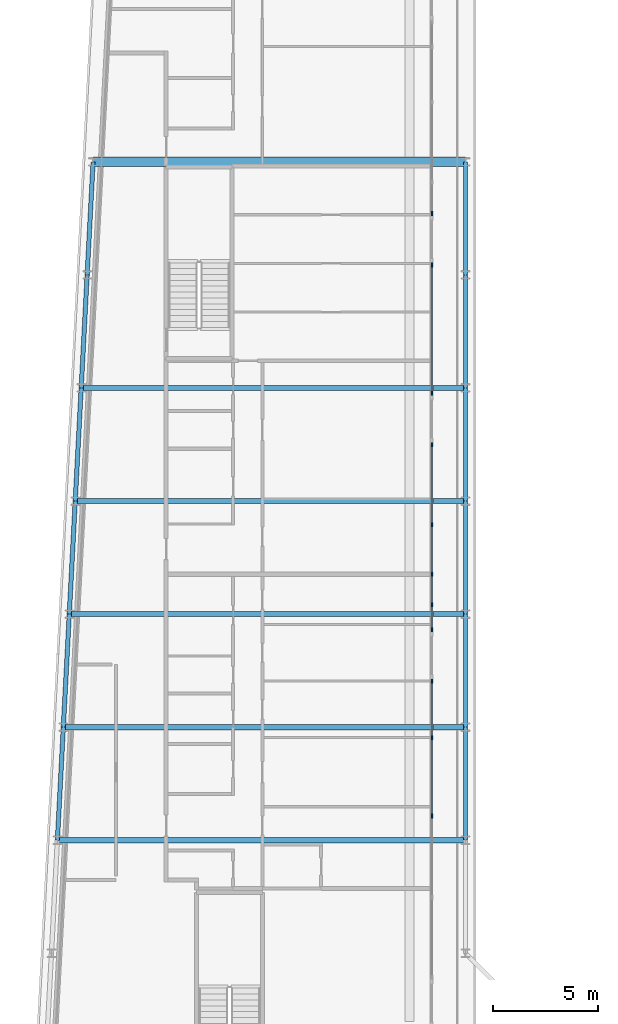
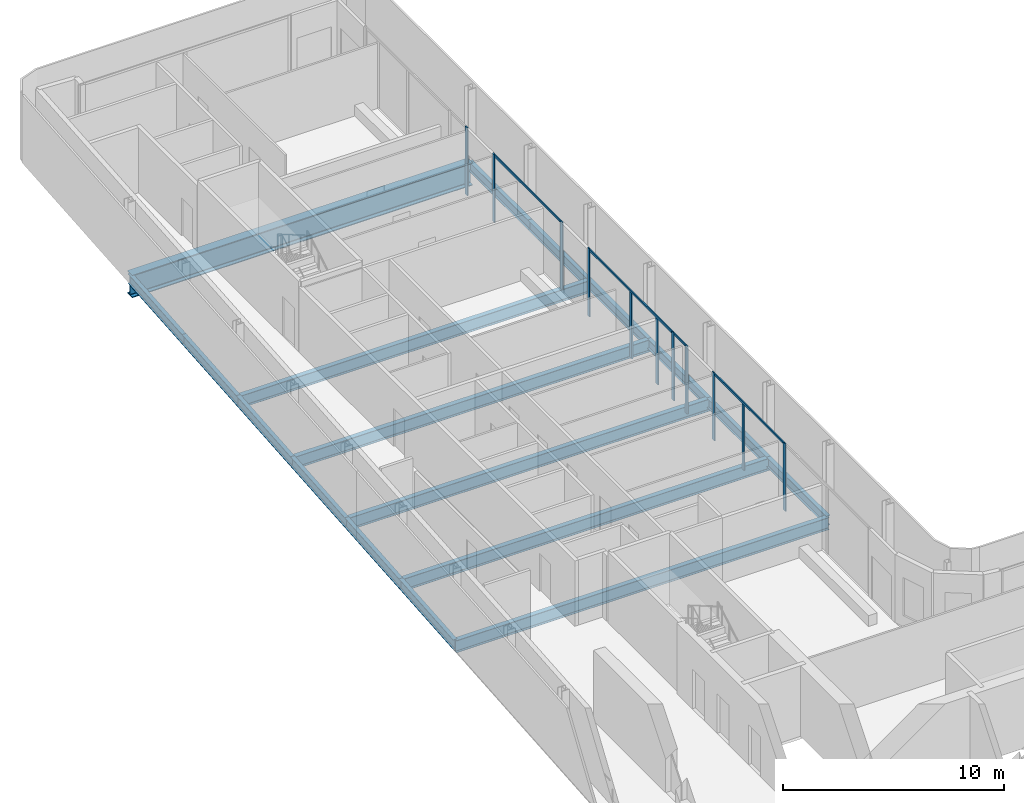
# One storey, part 7 of 21: 18 beams, 15 members, 5 elements without a shape of their own.
"""IFC4 building model written with IfcOpenShell, lengths in metres."""

from ifc_helpers import new_model, si_unit, direction, frame, origin, origin_2d, place, context, subcontext, project, spatial, rectangle, i_section, extrude, material, layer, layer_set, material_profile, profile_set, type_object, element, aggregate, save


model = new_model("IFC4")

# Units and contexts
model_context = context("Model", 3, precision=1e-05, world=origin(), true_north=direction((0.0, 1.0)))
body_context = subcontext(model_context, "Body", "Model", "MODEL_VIEW")
ifc_project = project(units=[si_unit("LENGTHUNIT", "METRE"), si_unit("AREAUNIT", "SQUARE_METRE"), si_unit("VOLUMEUNIT", "CUBIC_METRE"), si_unit("PLANEANGLEUNIT", "RADIAN"), si_unit("MASSUNIT", "GRAM", prefix="KILO")], contexts=[model_context])

# Site, building, storey
site_placement = place(None, origin())
site = spatial("IfcSite", under=ifc_project, at=site_placement, CompositionType="ELEMENT")
building_placement = place(site_placement, origin())
building = spatial("IfcBuilding", under=site, at=building_placement, Name="Kheshtan School and Residences Tower", CompositionType="ELEMENT")
storey_placement = place(building_placement, frame((0.0, 0.0, 305.89990234375)))
storey = spatial("IfcBuildingStorey", under=building, at=storey_placement, Name="L72", CompositionType="ELEMENT", Elevation=305.89990234375)

# Beams
ifc_material_1 = material(Name="Steel ASTM A992 Grade 50", Category="steel")
ifc_material_profile_1 = material_profile(ifc_material_1, i_section(OverallWidth=0.2529296875, OverallDepth=0.677978515625, WebThickness=0.01171875, FlangeThickness=0.016357421875, FilletRadius=0.0146484375, at=origin_2d()), Name="W690x125")
ifc_profile_set_1 = profile_set([ifc_material_profile_1], Name="Steel ASTM A992 Grade 50")
beam_type_1 = type_object("IfcBeamType", Name="Beam FB6 W690x125 ASTM A992 Grade 50", PredefinedType="BEAM", material=ifc_profile_set_1)
beam_1_placement = place(storey_placement, frame((47.60009765625, 78.0, -0.489013671875), z_axis=(-1.0, 0.0, 0.0), x_axis=(0.0, -1.0, 0.0)))
element("IfcBeam", 1, at=beam_1_placement, inside=storey, type_object=beam_type_1, Name="Floor beam C089", PredefinedType="BEAM", context=body_context, shape_type="SweptSolid", body=[
    extrude(i_section(OverallWidth=0.2529296875, OverallDepth=0.677978515625, WebThickness=0.01171875, FlangeThickness=0.016357421875, FilletRadius=0.0146484375, at=origin_2d()), origin(), (0.0, 0.0, 1.0), 18.357177734375),
])
beam_2_placement = place(storey_placement, frame((47.60009765625, 67.199951171875, -0.489013671875), z_axis=(-1.0, 0.0, 0.0), x_axis=(0.0, -1.0, 0.0)))
element("IfcBeam", 2, at=beam_2_placement, inside=storey, type_object=beam_type_1, Name="Floor beam C085", PredefinedType="BEAM", context=body_context, shape_type="SweptSolid", body=[
    extrude(i_section(OverallWidth=0.2529296875, OverallDepth=0.677978515625, WebThickness=0.01171875, FlangeThickness=0.016357421875, FilletRadius=0.0146484375, at=origin_2d()), origin(), (0.0, 0.0, 1.0), 18.926025390625),
])
beam_3_placement = place(storey_placement, frame((47.60009765625, 56.39990234375, -0.489013671875), z_axis=(-1.0, 0.0, 0.0), x_axis=(0.0, -1.0, 0.0)))
element("IfcBeam", 3, at=beam_3_placement, inside=storey, type_object=beam_type_1, Name="Floor beam C081", PredefinedType="BEAM", context=body_context, shape_type="SweptSolid", body=[
    extrude(i_section(OverallWidth=0.2529296875, OverallDepth=0.677978515625, WebThickness=0.01171875, FlangeThickness=0.016357421875, FilletRadius=0.0146484375, at=origin_2d()), origin(), (0.0, 0.0, 1.0), 19.494140625),
])
beam_4_placement = place(storey_placement, frame((28.389892578125, 61.800048828125, -0.489013671875), z_axis=(1.0, 0.0, 0.0), x_axis=(0.0, 1.0, 0.0)))
element("IfcBeam", 4, at=beam_4_placement, inside=storey, type_object=beam_type_1, Name="Floor beam C082", PredefinedType="BEAM", context=body_context, shape_type="SweptSolid", body=[
    extrude(i_section(OverallWidth=0.2529296875, OverallDepth=0.677978515625, WebThickness=0.01171875, FlangeThickness=0.016357421875, FilletRadius=0.0146484375, at=origin_2d()), origin(), (0.0, 0.0, 1.0), 19.210205078125),
])
beam_5_placement = place(storey_placement, frame((28.9580078125, 72.60009765625, -0.489013671875), z_axis=(1.0, 0.0, 0.0), x_axis=(0.0, 1.0, 0.0)))
element("IfcBeam", 5, at=beam_5_placement, inside=storey, type_object=beam_type_1, Name="Floor beam C086", PredefinedType="BEAM", context=body_context, shape_type="SweptSolid", body=[
    extrude(i_section(OverallWidth=0.2529296875, OverallDepth=0.677978515625, WebThickness=0.01171875, FlangeThickness=0.016357421875, FilletRadius=0.0146484375, at=origin_2d()), origin(), (0.0, 0.0, 1.0), 18.64208984375),
])
ifc_material_profile_2 = material_profile(ifc_material_1, i_section(OverallWidth=0.208984375, OverallDepth=0.532958984375, WebThickness=0.01025390625, FlangeThickness=0.015625, FilletRadius=0.013916015625, at=origin_2d()), Name="W530x92")
ifc_profile_set_2 = profile_set([ifc_material_profile_2], Name="Steel ASTM A992 Grade 50")
beam_type_2 = type_object("IfcBeamType", Name="Beam SP3 W530x92 ASTM A992 Grade 50", PredefinedType="BEAM", material=ifc_profile_set_2)
beam_6_placement = place(storey_placement, frame((47.60009765625, 88.800048828125, -0.41650390625), z_axis=(0.0, -1.0, 0.0), x_axis=(1.0, 0.0, 0.0)))
element("IfcBeam", 6, at=beam_6_placement, inside=storey, type_object=beam_type_2, Name="Spandrel beam C099-C091", PredefinedType="BEAM", context=body_context, shape_type="SweptSolid", body=[
    extrude(i_section(OverallWidth=0.208984375, OverallDepth=0.532958984375, WebThickness=0.01025390625, FlangeThickness=0.015625, FilletRadius=0.013916015625, at=origin_2d()), origin(), (0.0, 0.0, 1.0), 5.400146484375),
])
for number, where, z_axis, x_axis, name in (
    (7, (47.60009765625, 83.39990234375, -0.41650390625), (0.0, -1.0, 0.0), (1.0, 0.0, 0.0), "Spandrel beam C091-C089"),
    (8, (47.60009765625, 78.0, -0.41650390625), (0.0, -1.0, 0.0), (1.0, 0.0, 0.0), "Spandrel beam C089-C087"),
):
    element("IfcBeam", number, at=place(storey_placement, frame(where, z_axis=z_axis, x_axis=x_axis)), inside=storey, type_object=beam_type_2, Name=name, PredefinedType="BEAM", context=body_context, shape_type="SweptSolid", body=[
        extrude(i_section(OverallWidth=0.208984375, OverallDepth=0.532958984375, WebThickness=0.01025390625, FlangeThickness=0.015625, FilletRadius=0.013916015625, at=origin_2d()), origin(), (0.0, 0.0, 1.0), 5.39990234375),
    ])
beam_7_placement = place(storey_placement, frame((47.60009765625, 72.60009765625, -0.41650390625), z_axis=(0.0, -1.0, 0.0), x_axis=(1.0, 0.0, 0.0)))
element("IfcBeam", 9, at=beam_7_placement, inside=storey, type_object=beam_type_2, Name="Spandrel beam C087-C085", PredefinedType="BEAM", context=body_context, shape_type="SweptSolid", body=[
    extrude(i_section(OverallWidth=0.208984375, OverallDepth=0.532958984375, WebThickness=0.01025390625, FlangeThickness=0.015625, FilletRadius=0.013916015625, at=origin_2d()), origin(), (0.0, 0.0, 1.0), 5.400146484375),
])
beam_8_placement = place(storey_placement, frame((47.60009765625, 67.199951171875, -0.41650390625), z_axis=(0.0, -1.0, 0.0), x_axis=(1.0, 0.0, 0.0)))
element("IfcBeam", 10, at=beam_8_placement, inside=storey, type_object=beam_type_2, Name="Spandrel beam C085-C083", PredefinedType="BEAM", context=body_context, shape_type="SweptSolid", body=[
    extrude(i_section(OverallWidth=0.208984375, OverallDepth=0.532958984375, WebThickness=0.01025390625, FlangeThickness=0.015625, FilletRadius=0.013916015625, at=origin_2d()), origin(), (0.0, 0.0, 1.0), 5.39990234375),
])
beam_9_placement = place(storey_placement, frame((47.60009765625, 61.800048828125, -0.41650390625), z_axis=(0.0, -1.0, 0.0), x_axis=(1.0, 0.0, 0.0)))
element("IfcBeam", 11, at=beam_9_placement, inside=storey, type_object=beam_type_2, Name="Spandrel beam C083-C081", PredefinedType="BEAM", context=body_context, shape_type="SweptSolid", body=[
    extrude(i_section(OverallWidth=0.208984375, OverallDepth=0.532958984375, WebThickness=0.01025390625, FlangeThickness=0.015625, FilletRadius=0.013916015625, at=origin_2d()), origin(), (0.0, 0.0, 1.0), 5.400146484375),
])
beam_10_placement = place(storey_placement, frame((28.10595703125, 56.39990234375, -0.41650390625), z_axis=(0.05250670125, 0.998620571751, 0.0), x_axis=(-0.998620571751, 0.05250670125, 0.0)))
element("IfcBeam", 12, at=beam_10_placement, inside=storey, type_object=beam_type_2, Name="Spandrel beam C080-C082", PredefinedType="BEAM", context=body_context, shape_type="SweptSolid", body=[
    extrude(i_section(OverallWidth=0.208984375, OverallDepth=0.532958984375, WebThickness=0.01025390625, FlangeThickness=0.015625, FilletRadius=0.013916015625, at=origin_2d()), origin(), (0.0, 0.0, 1.0), 5.40771484375),
])
beam_11_placement = place(storey_placement, frame((28.389892578125, 61.800048828125, -0.41650390625), z_axis=(0.052554093665, 0.998618078766, 0.0), x_axis=(-0.998618078766, 0.052554093665, 0.0)))
element("IfcBeam", 13, at=beam_11_placement, inside=storey, type_object=beam_type_2, Name="Spandrel beam C082-C084", PredefinedType="BEAM", context=body_context, shape_type="SweptSolid", body=[
    extrude(i_section(OverallWidth=0.208984375, OverallDepth=0.532958984375, WebThickness=0.01025390625, FlangeThickness=0.015625, FilletRadius=0.013916015625, at=origin_2d()), origin(), (0.0, 0.0, 1.0), 5.407470703125),
])
beam_12_placement = place(storey_placement, frame((28.674072265625, 67.199951171875, -0.41650390625), z_axis=(0.05250670125, 0.998620571751, 0.0), x_axis=(-0.998620571751, 0.05250670125, 0.0)))
element("IfcBeam", 14, at=beam_12_placement, inside=storey, type_object=beam_type_2, Name="Spandrel beam C084-C086", PredefinedType="BEAM", context=body_context, shape_type="SweptSolid", body=[
    extrude(i_section(OverallWidth=0.208984375, OverallDepth=0.532958984375, WebThickness=0.01025390625, FlangeThickness=0.015625, FilletRadius=0.013916015625, at=origin_2d()), origin(), (0.0, 0.0, 1.0), 5.40771484375),
])
for number, where, z_axis, x_axis, name in (
    (15, (28.9580078125, 72.60009765625, -0.41650390625), (0.052689166816, 0.998610961136, 0.0), (-0.998610961136, 0.052689166816, 0.0), "Spandrel beam C086-C088"),
    (16, (29.242919921875, 78.0, -0.41650390625), (0.052554093665, 0.998618078766, 0.0), (-0.998618078766, 0.052554093665, 0.0), "Spandrel beam C088-C090"),
):
    element("IfcBeam", number, at=place(storey_placement, frame(where, z_axis=z_axis, x_axis=x_axis)), inside=storey, type_object=beam_type_2, Name=name, PredefinedType="BEAM", context=body_context, shape_type="SweptSolid", body=[
        extrude(i_section(OverallWidth=0.208984375, OverallDepth=0.532958984375, WebThickness=0.01025390625, FlangeThickness=0.015625, FilletRadius=0.013916015625, at=origin_2d()), origin(), (0.0, 0.0, 1.0), 5.407470703125),
    ])
beam_13_placement = place(storey_placement, frame((29.527099609375, 83.39990234375, -0.41650390625), z_axis=(0.05250670125, 0.998620571751, 0.0), x_axis=(-0.998620571751, 0.05250670125, 0.0)))
element("IfcBeam", 17, at=beam_13_placement, inside=storey, type_object=beam_type_2, Name="Spandrel beam C090-C098", PredefinedType="BEAM", context=body_context, shape_type="SweptSolid", body=[
    extrude(i_section(OverallWidth=0.208984375, OverallDepth=0.532958984375, WebThickness=0.01025390625, FlangeThickness=0.015625, FilletRadius=0.013916015625, at=origin_2d()), origin(), (0.0, 0.0, 1.0), 5.40771484375),
])

# Curtain wall, member
ifc_material_2 = material(Name="Clear low-e glass in thermally broken aluminium frame", Category="aluminium")
ifc_layer = layer(ifc_material_2, 0.199951171875)
ifc_layer_set = layer_set([ifc_layer], Name="Curtain wall CW-L")
curtain_wall_type = type_object("IfcCurtainWallType", Name="Curtain wall CW-L", PredefinedType="NOTDEFINED", material=ifc_layer_set)
curtain_wall_1_placement = place(storey_placement, origin())
curtain_wall_1 = element("IfcCurtainWall", 18, at=curtain_wall_1_placement, inside=storey, type_object=curtain_wall_type, Name="Curtain wall CWL8a", PredefinedType="NOTDEFINED")
ifc_material_3 = material(Name="Thermally broken aluminium, dark bronze anodised", Category="aluminium")
ifc_material_profile_3 = material_profile(ifc_material_3, rectangle(XDim=0.06005859375, YDim=0.199951171875, at=origin_2d()), Name="CW-L mullion 60x200")
ifc_profile_set_3 = profile_set([ifc_material_profile_3], Name="Thermally broken aluminium, dark bronze anodised")
member_type_1 = type_object("IfcMemberType", Name="CW-L mullion 60x200", PredefinedType="MULLION", material=ifc_profile_set_3)
member_1_placement = place(storey_placement, frame((46.0, 86.3359375, 0.0), z_axis=(0.0, 0.0, 1.0), x_axis=(1.0, 0.0, 0.0)))
member_1 = element("IfcMember", 19, at=member_1_placement, type_object=member_type_1, Name="CWL8a mullion 2", PredefinedType="MULLION", context=body_context, shape_type="SweptSolid", body=[
    extrude(rectangle(XDim=0.06005859375, YDim=0.199951171875, at=origin_2d()), origin(), (0.0, 0.0, 1.0), 3.75),
])
aggregate(curtain_wall_1, [member_1])

# Curtain wall, members
curtain_wall_2_placement = place(storey_placement, origin())
curtain_wall_2 = element("IfcCurtainWall", 20, at=curtain_wall_2_placement, inside=storey, type_object=curtain_wall_type, Name="Curtain wall CWL8d", PredefinedType="NOTDEFINED")
member_2_placement = place(storey_placement, frame((46.0, 83.8759765625, 0.0), z_axis=(0.0, 0.0, 1.0), x_axis=(1.0, 0.0, 0.0)))
member_2 = element("IfcMember", 21, at=member_2_placement, type_object=member_type_1, Name="CWL8d mullion 1", PredefinedType="MULLION", context=body_context, shape_type="SweptSolid", body=[
    extrude(rectangle(XDim=0.06005859375, YDim=0.199951171875, at=origin_2d()), origin(), (0.0, 0.0, 1.0), 3.75),
])
member_3_placement = place(storey_placement, frame((46.0, 77.741943359375, 0.0), z_axis=(0.0, 0.0, 1.0), x_axis=(1.0, 0.0, 0.0)))
member_3 = element("IfcMember", 22, at=member_3_placement, type_object=member_type_1, Name="CWL8d mullion 2", PredefinedType="MULLION", context=body_context, shape_type="SweptSolid", body=[
    extrude(rectangle(XDim=0.06005859375, YDim=0.199951171875, at=origin_2d()), origin(), (0.0, 0.0, 1.0), 3.75),
])

curtain_wall_3_placement = place(storey_placement, origin())
curtain_wall_3 = element("IfcCurtainWall", 23, at=curtain_wall_3_placement, inside=storey, type_object=curtain_wall_type, Name="Curtain wall CWL8c", PredefinedType="NOTDEFINED")
member_4_placement = place(storey_placement, frame((46.0, 75.281982421875, 0.0), z_axis=(0.0, 0.0, 1.0), x_axis=(1.0, 0.0, 0.0)))
member_4 = element("IfcMember", 24, at=member_4_placement, type_object=member_type_1, Name="CWL8c mullion 1", PredefinedType="MULLION", context=body_context, shape_type="SweptSolid", body=[
    extrude(rectangle(XDim=0.06005859375, YDim=0.199951171875, at=origin_2d()), origin(), (0.0, 0.0, 1.0), 3.75),
])
member_5_placement = place(storey_placement, frame((46.0, 71.465087890625, 0.0), z_axis=(0.0, 0.0, 1.0), x_axis=(1.0, 0.0, 0.0)))
member_5 = element("IfcMember", 25, at=member_5_placement, type_object=member_type_1, Name="CWL8c mullion 2", PredefinedType="MULLION", context=body_context, shape_type="SweptSolid", body=[
    extrude(rectangle(XDim=0.06005859375, YDim=0.199951171875, at=origin_2d()), origin(), (0.0, 0.0, 1.0), 3.630126953125),
])
member_6_placement = place(storey_placement, frame((46.0, 69.10009765625, 0.0), z_axis=(0.0, 0.0, 1.0), x_axis=(1.0, 0.0, 0.0)))
member_6 = element("IfcMember", 26, at=member_6_placement, type_object=member_type_1, Name="CWL8c mullion 3", PredefinedType="MULLION", context=body_context, shape_type="SweptSolid", body=[
    extrude(rectangle(XDim=0.06005859375, YDim=0.199951171875, at=origin_2d()), origin(), (0.0, 0.0, 1.0), 3.630126953125),
])
member_7_placement = place(storey_placement, frame((46.0, 67.64794921875, 0.0), z_axis=(0.0, 0.0, 1.0), x_axis=(1.0, 0.0, 0.0)))
member_7 = element("IfcMember", 27, at=member_7_placement, type_object=member_type_1, Name="CWL8c mullion 4", PredefinedType="MULLION", context=body_context, shape_type="SweptSolid", body=[
    extrude(rectangle(XDim=0.06005859375, YDim=0.199951171875, at=origin_2d()), origin(), (0.0, 0.0, 1.0), 3.75),
])

# Curtain wall, member
curtain_wall_4_placement = place(storey_placement, origin())
curtain_wall_4 = element("IfcCurtainWall", 28, at=curtain_wall_4_placement, inside=storey, type_object=curtain_wall_type, Name="Curtain wall CWL8g", PredefinedType="NOTDEFINED")
member_8_placement = place(storey_placement, frame((46.0, 66.447998046875, 0.0), z_axis=(0.0, 0.0, 1.0), x_axis=(1.0, 0.0, 0.0)))
member_8 = element("IfcMember", 29, at=member_8_placement, type_object=member_type_1, Name="CWL8g mullion 2", PredefinedType="MULLION", context=body_context, shape_type="SweptSolid", body=[
    extrude(rectangle(XDim=0.06005859375, YDim=0.199951171875, at=origin_2d()), origin(), (0.0, 0.0, 1.0), 3.75),
])

# Curtain wall, members
curtain_wall_5_placement = place(storey_placement, origin())
curtain_wall_5 = element("IfcCurtainWall", 30, at=curtain_wall_5_placement, inside=storey, type_object=curtain_wall_type, Name="Curtain wall CWL8k", PredefinedType="NOTDEFINED")
member_9_placement = place(storey_placement, frame((46.0, 63.988037109375, 0.0), z_axis=(0.0, 0.0, 1.0), x_axis=(1.0, 0.0, 0.0)))
member_9 = element("IfcMember", 31, at=member_9_placement, type_object=member_type_1, Name="CWL8k mullion 1", PredefinedType="MULLION", context=body_context, shape_type="SweptSolid", body=[
    extrude(rectangle(XDim=0.06005859375, YDim=0.199951171875, at=origin_2d()), origin(), (0.0, 0.0, 1.0), 3.75),
])
member_10_placement = place(storey_placement, frame((46.0, 61.300048828125, 0.0), z_axis=(0.0, 0.0, 1.0), x_axis=(1.0, 0.0, 0.0)))
member_10 = element("IfcMember", 32, at=member_10_placement, type_object=member_type_1, Name="CWL8k mullion 2", PredefinedType="MULLION", context=body_context, shape_type="SweptSolid", body=[
    extrude(rectangle(XDim=0.06005859375, YDim=0.199951171875, at=origin_2d()), origin(), (0.0, 0.0, 1.0), 3.630126953125),
])
member_11_placement = place(storey_placement, frame((46.0, 57.553955078125, 0.0), z_axis=(0.0, 0.0, 1.0), x_axis=(1.0, 0.0, 0.0)))
member_11 = element("IfcMember", 33, at=member_11_placement, type_object=member_type_1, Name="CWL8k mullion 3", PredefinedType="MULLION", context=body_context, shape_type="SweptSolid", body=[
    extrude(rectangle(XDim=0.06005859375, YDim=0.199951171875, at=origin_2d()), origin(), (0.0, 0.0, 1.0), 3.75),
])

# Member
ifc_material_profile_4 = material_profile(ifc_material_3, rectangle(XDim=0.06005859375, YDim=0.1201171875, at=origin_2d()), Name="CW-L transom 60x120")
ifc_profile_set_4 = profile_set([ifc_material_profile_4], Name="Thermally broken aluminium, dark bronze anodised")
member_type_2 = type_object("IfcMemberType", Name="CW-L transom 60x120", PredefinedType="USERDEFINED", material=ifc_profile_set_4)
member_12_placement = place(storey_placement, frame((46.0, 83.845947265625, 3.690185546875), z_axis=(0.0, -1.0, 0.0), x_axis=(1.0, 0.0, 0.0)))
member_12 = element("IfcMember", 34, at=member_12_placement, type_object=member_type_2, Name="CWL8d transom 1", ObjectType="TRANSOM", PredefinedType="USERDEFINED", context=body_context, shape_type="SweptSolid", body=[
    extrude(rectangle(XDim=0.06005859375, YDim=0.1201171875, at=origin_2d()), origin(), (0.0, 0.0, 1.0), 6.073974609375),
])

aggregate(curtain_wall_2, [member_2, member_3, member_12])

member_13_placement = place(storey_placement, frame((46.0, 75.251953125, 3.690185546875), z_axis=(0.0, -1.0, 0.0), x_axis=(1.0, 0.0, 0.0)))
member_13 = element("IfcMember", 35, at=member_13_placement, type_object=member_type_2, Name="CWL8c transom 1", ObjectType="TRANSOM", PredefinedType="USERDEFINED", context=body_context, shape_type="SweptSolid", body=[
    extrude(rectangle(XDim=0.06005859375, YDim=0.1201171875, at=origin_2d()), origin(), (0.0, 0.0, 1.0), 7.573974609375),
])

aggregate(curtain_wall_3, [member_4, member_5, member_6, member_7, member_13])

member_14_placement = place(storey_placement, frame((46.0, 67.617919921875, 3.690185546875), z_axis=(0.0, -1.0, 0.0), x_axis=(1.0, 0.0, 0.0)))
member_14 = element("IfcMember", 36, at=member_14_placement, type_object=member_type_2, Name="CWL8g transom 1", ObjectType="TRANSOM", PredefinedType="USERDEFINED", context=body_context, shape_type="SweptSolid", body=[
    extrude(rectangle(XDim=0.06005859375, YDim=0.1201171875, at=origin_2d()), origin(), (0.0, 0.0, 1.0), 1.139892578125),
])

aggregate(curtain_wall_4, [member_8, member_14])

member_15_placement = place(storey_placement, frame((46.0, 63.9580078125, 3.690185546875), z_axis=(0.0, -1.0, 0.0), x_axis=(1.0, 0.0, 0.0)))
member_15 = element("IfcMember", 37, at=member_15_placement, type_object=member_type_2, Name="CWL8k transom 1", ObjectType="TRANSOM", PredefinedType="USERDEFINED", context=body_context, shape_type="SweptSolid", body=[
    extrude(rectangle(XDim=0.06005859375, YDim=0.1201171875, at=origin_2d()), origin(), (0.0, 0.0, 1.0), 6.3740234375),
])

aggregate(curtain_wall_5, [member_9, member_10, member_11, member_15])

# Beam
ifc_material_profile_5 = material_profile(ifc_material_1, i_section(OverallWidth=0.449951171875, OverallDepth=1.25, WebThickness=0.02490234375, FlangeThickness=0.044921875, FilletRadius=0.03759765625, at=origin_2d()), Name="WWF1250x546")
ifc_profile_set_5 = profile_set([ifc_material_profile_5], Name="Steel ASTM A992 Grade 50")
beam_type_3 = type_object("IfcBeamType", Name="Transfer girder TG4 WWF1250x546 ASTM A992 Grade 50", PredefinedType="BEAM", material=ifc_profile_set_5)
beam_14_placement = place(storey_placement, frame((29.81103515625, 88.800048828125, -0.77490234375), z_axis=(1.0, 0.0, 0.0), x_axis=(0.0, 1.0, 0.0)))
element("IfcBeam", 38, at=beam_14_placement, inside=storey, type_object=beam_type_3, Name="Transfer girder C098-C099", PredefinedType="BEAM", context=body_context, shape_type="SweptSolid", body=[
    extrude(i_section(OverallWidth=0.449951171875, OverallDepth=1.25, WebThickness=0.02490234375, FlangeThickness=0.044921875, FilletRadius=0.03759765625, at=origin_2d()), origin(), (0.0, 0.0, 1.0), 17.7890625),
])

save(model, "model.ifc")
